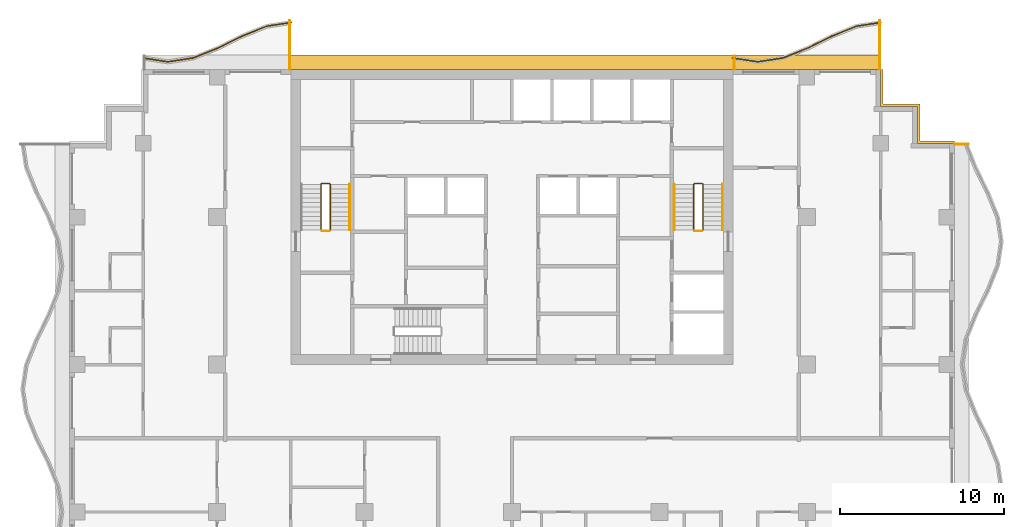
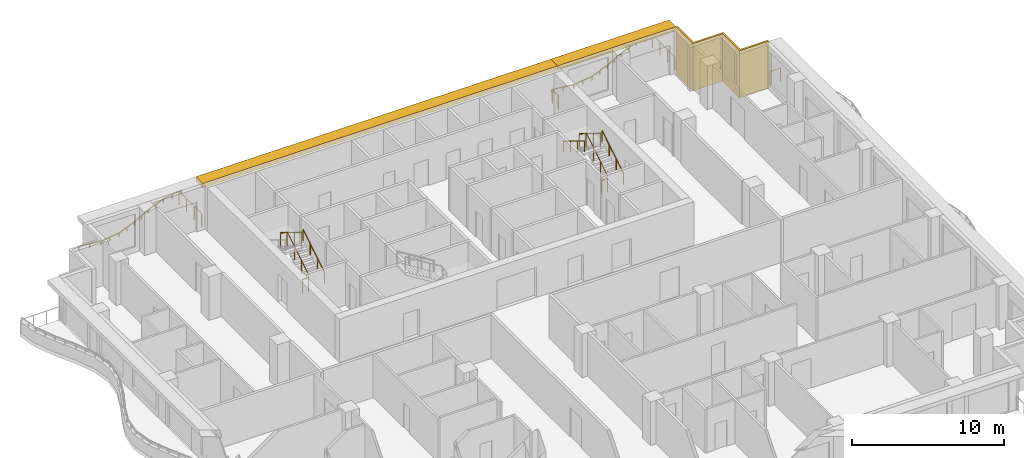
# One storey, part 11 of 11: 13 railings, 3 shading devices.
"""IFC4 building model written with IfcOpenShell, lengths in metres."""

from ifc_helpers import new_model, si_unit, direction, frame, origin, origin_2d, place, context, subcontext, project, spatial, polyline, rectangle, circle, outline, extrude, material, layer, layer_set, type_object, element, save


model = new_model("IFC4")

# Units and contexts
model_context = context("Model", 3, precision=1e-05, world=origin(), true_north=direction((0.0, 1.0)))
body_context = subcontext(model_context, "Body", "Model", "MODEL_VIEW")
ifc_project = project(units=[si_unit("LENGTHUNIT", "METRE"), si_unit("AREAUNIT", "SQUARE_METRE"), si_unit("VOLUMEUNIT", "CUBIC_METRE"), si_unit("PLANEANGLEUNIT", "RADIAN"), si_unit("MASSUNIT", "GRAM", prefix="KILO")], contexts=[model_context])

# Site, building, storey
site_placement = place(None, origin())
site = spatial("IfcSite", under=ifc_project, at=site_placement, CompositionType="ELEMENT")
building_placement = place(site_placement, origin())
building = spatial("IfcBuilding", under=site, at=building_placement, Name="Orbiselva Terraces", CompositionType="ELEMENT")
storey_placement = place(building_placement, frame((0.0, 0.0, 218.6)))
storey = spatial("IfcBuildingStorey", under=building, at=storey_placement, Name="L55", CompositionType="ELEMENT", Elevation=218.6)

# Railings
ifc_material_1 = material(Name="Stainless steel", Category="steel")
railing_type_1 = type_object("IfcRailingType", Name="CORE-GUARD-1100", PredefinedType="GUARDRAIL", material=ifc_material_1)
railing_1_placement = place(storey_placement, frame((-11.1, 12.7, 0.172727)))
element("IfcRailing", 1, at=railing_1_placement, inside=storey, type_object=railing_type_1, Name="L55 S1 stair guard 1", PredefinedType="GUARDRAIL", context=body_context, shape_type="SweptSolid", body=[
    extrude(circle(Radius=0.024, at=origin_2d()), frame((0.0, 0.0, 1.081), z_axis=(0.0, 0.851088519012, 0.52502222125), x_axis=(-1.0, 0.0, 0.0)), (0.0, 0.0, 1.0), 3.289905),
    extrude(circle(Radius=0.024, at=origin_2d()), frame((0.0, 2.8, 2.808273), z_axis=(-0.707106781187, 0.707106781187, 0.0), x_axis=(-0.707106781187, -0.707106781187, 0.0)), (0.0, 0.0, 1.0), 0.070711),
    extrude(circle(Radius=0.024, at=origin_2d()), frame((-0.05, 2.85, 2.808273), z_axis=(-1.0, 0.0, 0.0), x_axis=(0.0, -1.0, 0.0)), (0.0, 0.0, 1.0), 0.45),
    extrude(circle(Radius=0.024, at=origin_2d()), frame((-0.5, 2.85, 2.808273), z_axis=(-0.267894925557, -0.267894925557, 0.925453736133), x_axis=(0.707106781187, -0.707106781187, 0.0)), (0.0, 0.0, 1.0), 0.18664),
    extrude(circle(Radius=0.024, at=origin_2d()), frame((-0.55, 2.8, 2.981), z_axis=(0.0, -0.851088519012, 0.52502222125), x_axis=(1.0, 0.0, 0.0)), (0.0, 0.0, 1.0), 3.289905),
    extrude(circle(Radius=0.021, at=origin_2d()), origin(), (0.0, 0.0, 1.0), 1.057),
    extrude(circle(Radius=0.021, at=origin_2d()), frame((0.0, 0.933333, 0.575758)), (0.0, 0.0, 1.0), 1.057),
    extrude(circle(Radius=0.021, at=origin_2d()), frame((0.0, 1.866667, 1.151515)), (0.0, 0.0, 1.0), 1.057),
    extrude(circle(Radius=0.021, at=origin_2d()), frame((0.0, 2.8, 1.727273)), (0.0, 0.0, 1.0), 1.057),
    extrude(circle(Radius=0.021, at=origin_2d()), frame((-0.05, 2.85, 1.727273)), (0.0, 0.0, 1.0), 1.057),
    extrude(circle(Radius=0.021, at=origin_2d()), frame((-0.5, 2.85, 1.727273)), (0.0, 0.0, 1.0), 1.057),
    extrude(circle(Radius=0.021, at=origin_2d()), frame((-0.55, 2.8, 1.9)), (0.0, 0.0, 1.0), 1.057),
    extrude(circle(Radius=0.021, at=origin_2d()), frame((-0.55, 1.866667, 2.475758)), (0.0, 0.0, 1.0), 1.057),
    extrude(circle(Radius=0.021, at=origin_2d()), frame((-0.55, 0.933333, 3.051515)), (0.0, 0.0, 1.0), 1.057),
    extrude(circle(Radius=0.021, at=origin_2d()), frame((-0.55, 0.0, 3.627273)), (0.0, 0.0, 1.0), 1.057),
])
railing_2_placement = place(storey_placement, frame((-11.15, 12.65, 0.0)))
element("IfcRailing", 2, at=railing_2_placement, inside=storey, type_object=railing_type_1, Name="L55 S1 stair guard 2", PredefinedType="GUARDRAIL", context=body_context, shape_type="SweptSolid", body=[
    extrude(circle(Radius=0.024, at=origin_2d()), frame((0.0, 0.0, 1.081), z_axis=(-1.0, 0.0, 0.0), x_axis=(0.0, -1.0, 0.0)), (0.0, 0.0, 1.0), 0.45),
    extrude(circle(Radius=0.021, at=origin_2d()), origin(), (0.0, 0.0, 1.0), 1.057),
    extrude(circle(Radius=0.021, at=origin_2d()), frame((-0.45, 0.0, 0.0)), (0.0, 0.0, 1.0), 1.057),
])
railing_3_placement = place(storey_placement, frame((11.65, 12.7, 0.172727)))
element("IfcRailing", 3, at=railing_3_placement, inside=storey, type_object=railing_type_1, Name="L55 S2 stair guard 1", PredefinedType="GUARDRAIL", context=body_context, shape_type="SweptSolid", body=[
    extrude(circle(Radius=0.024, at=origin_2d()), frame((0.0, 0.0, 1.081), z_axis=(0.0, 0.851088519012, 0.52502222125), x_axis=(-1.0, 0.0, 0.0)), (0.0, 0.0, 1.0), 3.289905),
    extrude(circle(Radius=0.024, at=origin_2d()), frame((0.0, 2.8, 2.808273), z_axis=(-0.707106781187, 0.707106781187, 0.0), x_axis=(-0.707106781187, -0.707106781187, 0.0)), (0.0, 0.0, 1.0), 0.070711),
    extrude(circle(Radius=0.024, at=origin_2d()), frame((-0.05, 2.85, 2.808273), z_axis=(-1.0, 0.0, 0.0), x_axis=(0.0, -1.0, 0.0)), (0.0, 0.0, 1.0), 0.45),
    extrude(circle(Radius=0.024, at=origin_2d()), frame((-0.5, 2.85, 2.808273), z_axis=(-0.267894925557, -0.267894925557, 0.925453736133), x_axis=(0.707106781187, -0.707106781187, 0.0)), (0.0, 0.0, 1.0), 0.18664),
    extrude(circle(Radius=0.024, at=origin_2d()), frame((-0.55, 2.8, 2.981), z_axis=(0.0, -0.851088519012, 0.52502222125), x_axis=(1.0, 0.0, 0.0)), (0.0, 0.0, 1.0), 3.289905),
    extrude(circle(Radius=0.021, at=origin_2d()), origin(), (0.0, 0.0, 1.0), 1.057),
    extrude(circle(Radius=0.021, at=origin_2d()), frame((0.0, 0.933333, 0.575758)), (0.0, 0.0, 1.0), 1.057),
    extrude(circle(Radius=0.021, at=origin_2d()), frame((0.0, 1.866667, 1.151515)), (0.0, 0.0, 1.0), 1.057),
    extrude(circle(Radius=0.021, at=origin_2d()), frame((0.0, 2.8, 1.727273)), (0.0, 0.0, 1.0), 1.057),
    extrude(circle(Radius=0.021, at=origin_2d()), frame((-0.05, 2.85, 1.727273)), (0.0, 0.0, 1.0), 1.057),
    extrude(circle(Radius=0.021, at=origin_2d()), frame((-0.5, 2.85, 1.727273)), (0.0, 0.0, 1.0), 1.057),
    extrude(circle(Radius=0.021, at=origin_2d()), frame((-0.55, 2.8, 1.9)), (0.0, 0.0, 1.0), 1.057),
    extrude(circle(Radius=0.021, at=origin_2d()), frame((-0.55, 1.866667, 2.475758)), (0.0, 0.0, 1.0), 1.057),
    extrude(circle(Radius=0.021, at=origin_2d()), frame((-0.55, 0.933333, 3.051515)), (0.0, 0.0, 1.0), 1.057),
    extrude(circle(Radius=0.021, at=origin_2d()), frame((-0.55, 0.0, 3.627273)), (0.0, 0.0, 1.0), 1.057),
])
railing_4_placement = place(storey_placement, frame((11.6, 12.65, 0.0)))
element("IfcRailing", 4, at=railing_4_placement, inside=storey, type_object=railing_type_1, Name="L55 S2 stair guard 2", PredefinedType="GUARDRAIL", context=body_context, shape_type="SweptSolid", body=[
    extrude(circle(Radius=0.024, at=origin_2d()), frame((0.0, 0.0, 1.081), z_axis=(-1.0, 0.0, 0.0), x_axis=(0.0, -1.0, 0.0)), (0.0, 0.0, 1.0), 0.45),
    extrude(circle(Radius=0.021, at=origin_2d()), origin(), (0.0, 0.0, 1.0), 1.057),
    extrude(circle(Radius=0.021, at=origin_2d()), frame((-0.45, 0.0, 0.0)), (0.0, 0.0, 1.0), 1.057),
])
railing_type_2 = type_object("IfcRailingType", Name="CORE-HANDRAIL-900", PredefinedType="HANDRAIL", material=ifc_material_1)
for number, where, name in (
    (5, (-9.9, 12.7, 0.172727), "L55 S1 stair handrail 1"),
    (6, (12.85, 12.7, 0.172727), "L55 S2 stair handrail 1"),
):
    element("IfcRailing", number, at=place(storey_placement, frame(where)), inside=storey, type_object=railing_type_2, Name=name, PredefinedType="HANDRAIL", context=body_context, shape_type="SweptSolid", body=[
        extrude(circle(Radius=0.024, at=origin_2d()), frame((0.0, 0.0, 0.876), z_axis=(0.0, 0.851088519012, 0.52502222125), x_axis=(-1.0, 0.0, 0.0)), (0.0, 0.0, 1.0), 3.289905),
        extrude(circle(Radius=0.021, at=origin_2d()), origin(), (0.0, 0.0, 1.0), 0.852),
        extrude(circle(Radius=0.021, at=origin_2d()), frame((0.0, 0.933333, 0.575758)), (0.0, 0.0, 1.0), 0.852),
        extrude(circle(Radius=0.021, at=origin_2d()), frame((0.0, 1.866667, 1.151515)), (0.0, 0.0, 1.0), 0.852),
        extrude(circle(Radius=0.021, at=origin_2d()), frame((0.0, 2.8, 1.727273)), (0.0, 0.0, 1.0), 0.852),
    ])
railing_5_placement = place(storey_placement, frame((9.9, 15.5, 2.072727)))
element("IfcRailing", 7, at=railing_5_placement, inside=storey, type_object=railing_type_2, Name="L55 S2 stair handrail 2", PredefinedType="HANDRAIL", context=body_context, shape_type="SweptSolid", body=[
    extrude(circle(Radius=0.024, at=origin_2d()), frame((0.0, 0.0, 0.876), z_axis=(0.0, -0.851088519012, 0.52502222125), x_axis=(1.0, 0.0, 0.0)), (0.0, 0.0, 1.0), 3.289905),
    extrude(circle(Radius=0.021, at=origin_2d()), origin(), (0.0, 0.0, 1.0), 0.852),
    extrude(circle(Radius=0.021, at=origin_2d()), frame((0.0, -0.933333, 0.575758)), (0.0, 0.0, 1.0), 0.852),
    extrude(circle(Radius=0.021, at=origin_2d()), frame((0.0, -1.866667, 1.151515)), (0.0, 0.0, 1.0), 0.852),
    extrude(circle(Radius=0.021, at=origin_2d()), frame((0.0, -2.8, 1.727273)), (0.0, 0.0, 1.0), 0.852),
])
ifc_material_2 = material(Name="Bonded two-ply safety glass balustrade, stainless steel posts", Category="steel")
railing_type_3 = type_object("IfcRailingType", Name="ENV-BALUSTRADE-1200", PredefinedType="BALUSTRADE", material=ifc_material_2)
railing_6_placement = place(storey_placement, frame((22.518879, 25.376434, 0.9)))
element("IfcRailing", 8, at=railing_6_placement, inside=storey, type_object=railing_type_3, Name="Balcony balustrade L55 NE", PredefinedType="BALUSTRADE", context=body_context, shape_type="SweptSolid", body=[
    extrude(outline(polyline([(0.028868, 0.0), (0.014434, 0.025), (-0.014434, 0.025), (-0.028868, 0.0), (-0.014434, -0.025), (0.014434, -0.025), (0.028868, 0.0)])), frame((0.0, 0.0, 0.275), z_axis=(-0.988528552748, -0.151034103443, 0.0), x_axis=(0.151034103443, -0.988528552748, 0.0)), (0.0, 0.0, 1.0), 1.503038),
    extrude(outline(polyline([(0.028868, 0.0), (0.014434, 0.025), (-0.014434, 0.025), (-0.028868, 0.0), (-0.014434, -0.025), (0.014434, -0.025), (0.028868, 0.0)])), frame((-1.485796, -0.22701, 0.275), z_axis=(-0.928476561272, -0.371391000387, 0.0), x_axis=(0.371391000387, -0.928476561272, 0.0)), (0.0, 0.0, 1.0), 1.596261),
    extrude(outline(polyline([(0.028868, 0.0), (0.014434, 0.025), (-0.014434, 0.025), (-0.028868, 0.0), (-0.014434, -0.025), (0.014434, -0.025), (0.028868, 0.0)])), frame((-2.967887, -0.819847, 0.275), z_axis=(-0.896416672454, -0.443212307306, 0.0), x_axis=(0.443212307306, -0.896416672454, 0.0)), (0.0, 0.0, 1.0), 1.673329),
    extrude(outline(polyline([(0.028868, 0.0), (0.014434, 0.025), (-0.014434, 0.025), (-0.028868, 0.0), (-0.014434, -0.025), (0.014434, -0.025), (0.028868, 0.0)])), frame((-4.467887, -1.561487, 0.275), z_axis=(-0.92847681744, -0.371390359967, 0.0), x_axis=(0.371390359967, -0.92847681744, 0.0)), (0.0, 0.0, 1.0), 1.634838),
    extrude(outline(polyline([(0.028868, 0.0), (0.014434, 0.025), (-0.014434, 0.025), (-0.028868, 0.0), (-0.014434, -0.025), (0.014434, -0.025), (0.028868, 0.0)])), frame((-5.985796, -2.16865, 0.275), z_axis=(-0.988528536275, -0.151034211256, 0.0), x_axis=(0.151034211256, -0.988528536275, 0.0)), (0.0, 0.0, 1.0), 1.550874),
    extrude(outline(polyline([(0.028868, 0.0), (0.014434, 0.025), (-0.014434, 0.025), (-0.028868, 0.0), (-0.014434, -0.025), (0.014434, -0.025), (0.028868, 0.0)])), frame((-7.518879, -2.402885, 0.275), z_axis=(-0.988528518286, 0.151034328999, 0.0), x_axis=(-0.151034328999, -0.988528518286, 0.0)), (0.0, 0.0, 1.0), 1.536505),
    extrude(rectangle(XDim=0.05, YDim=0.05, at=origin_2d()), origin(), (0.0, 0.0, 1.0), 0.25),
    extrude(rectangle(XDim=0.05, YDim=0.05, at=origin_2d()), frame((-0.742898, -0.113505, 0.0)), (0.0, 0.0, 1.0), 0.25),
    extrude(rectangle(XDim=0.05, YDim=0.05, at=origin_2d()), frame((-1.485796, -0.22701, 0.0)), (0.0, 0.0, 1.0), 0.25),
    extrude(rectangle(XDim=0.05, YDim=0.05, at=origin_2d()), frame((-2.226841, -0.523428, 0.0)), (0.0, 0.0, 1.0), 0.25),
    extrude(rectangle(XDim=0.05, YDim=0.05, at=origin_2d()), frame((-2.967887, -0.819847, 0.0)), (0.0, 0.0, 1.0), 0.25),
    extrude(rectangle(XDim=0.05, YDim=0.05, at=origin_2d()), frame((-3.717887, -1.190667, 0.0)), (0.0, 0.0, 1.0), 0.25),
    extrude(rectangle(XDim=0.05, YDim=0.05, at=origin_2d()), frame((-4.467887, -1.561487, 0.0)), (0.0, 0.0, 1.0), 0.25),
    extrude(rectangle(XDim=0.05, YDim=0.05, at=origin_2d()), frame((-5.226841, -1.865068, 0.0)), (0.0, 0.0, 1.0), 0.25),
    extrude(rectangle(XDim=0.05, YDim=0.05, at=origin_2d()), frame((-5.985796, -2.16865, 0.0)), (0.0, 0.0, 1.0), 0.25),
    extrude(rectangle(XDim=0.05, YDim=0.05, at=origin_2d()), frame((-6.752337, -2.285768, 0.0)), (0.0, 0.0, 1.0), 0.25),
    extrude(rectangle(XDim=0.05, YDim=0.05, at=origin_2d()), frame((-7.518879, -2.402885, 0.0)), (0.0, 0.0, 1.0), 0.25),
    extrude(rectangle(XDim=0.05, YDim=0.05, at=origin_2d()), frame((-8.278318, -2.286852, 0.0)), (0.0, 0.0, 1.0), 0.25),
    extrude(rectangle(XDim=0.05, YDim=0.05, at=origin_2d()), frame((-9.037758, -2.17082, 0.0)), (0.0, 0.0, 1.0), 0.25),
])
railing_7_placement = place(storey_placement, frame((-13.481121, 25.376434, 0.9)))
element("IfcRailing", 9, at=railing_7_placement, inside=storey, type_object=railing_type_3, Name="Balcony balustrade L55 NW", PredefinedType="BALUSTRADE", context=body_context, shape_type="SweptSolid", body=[
    extrude(outline(polyline([(0.028868, 0.0), (0.014434, 0.025), (-0.014434, 0.025), (-0.028868, 0.0), (-0.014434, -0.025), (0.014434, -0.025), (0.028868, 0.0)])), frame((0.0, 0.0, 0.275), z_axis=(-0.988528552748, -0.151034103443, 0.0), x_axis=(0.151034103443, -0.988528552748, 0.0)), (0.0, 0.0, 1.0), 1.503038),
    extrude(outline(polyline([(0.028868, 0.0), (0.014434, 0.025), (-0.014434, 0.025), (-0.028868, 0.0), (-0.014434, -0.025), (0.014434, -0.025), (0.028868, 0.0)])), frame((-1.485796, -0.22701, 0.275), z_axis=(-0.928476561272, -0.371391000387, 0.0), x_axis=(0.371391000387, -0.928476561272, 0.0)), (0.0, 0.0, 1.0), 1.596261),
    extrude(outline(polyline([(0.028868, 0.0), (0.014434, 0.025), (-0.014434, 0.025), (-0.028868, 0.0), (-0.014434, -0.025), (0.014434, -0.025), (0.028868, 0.0)])), frame((-2.967887, -0.819847, 0.275), z_axis=(-0.896416672454, -0.443212307306, 0.0), x_axis=(0.443212307306, -0.896416672454, 0.0)), (0.0, 0.0, 1.0), 1.673329),
    extrude(outline(polyline([(0.028868, 0.0), (0.014434, 0.025), (-0.014434, 0.025), (-0.028868, 0.0), (-0.014434, -0.025), (0.014434, -0.025), (0.028868, 0.0)])), frame((-4.467887, -1.561487, 0.275), z_axis=(-0.92847681744, -0.371390359967, 0.0), x_axis=(0.371390359967, -0.92847681744, 0.0)), (0.0, 0.0, 1.0), 1.634838),
    extrude(outline(polyline([(0.028868, 0.0), (0.014434, 0.025), (-0.014434, 0.025), (-0.028868, 0.0), (-0.014434, -0.025), (0.014434, -0.025), (0.028868, 0.0)])), frame((-5.985796, -2.16865, 0.275), z_axis=(-0.988528536275, -0.151034211256, 0.0), x_axis=(0.151034211256, -0.988528536275, 0.0)), (0.0, 0.0, 1.0), 1.550874),
    extrude(outline(polyline([(0.028868, 0.0), (0.014434, 0.025), (-0.014434, 0.025), (-0.028868, 0.0), (-0.014434, -0.025), (0.014434, -0.025), (0.028868, 0.0)])), frame((-7.518879, -2.402885, 0.275), z_axis=(-0.988528518286, 0.151034328999, 0.0), x_axis=(-0.151034328999, -0.988528518286, 0.0)), (0.0, 0.0, 1.0), 1.536505),
    extrude(rectangle(XDim=0.05, YDim=0.05, at=origin_2d()), origin(), (0.0, 0.0, 1.0), 0.25),
    extrude(rectangle(XDim=0.05, YDim=0.05, at=origin_2d()), frame((-0.742898, -0.113505, 0.0)), (0.0, 0.0, 1.0), 0.25),
    extrude(rectangle(XDim=0.05, YDim=0.05, at=origin_2d()), frame((-1.485796, -0.22701, 0.0)), (0.0, 0.0, 1.0), 0.25),
    extrude(rectangle(XDim=0.05, YDim=0.05, at=origin_2d()), frame((-2.226842, -0.523428, 0.0)), (0.0, 0.0, 1.0), 0.25),
    extrude(rectangle(XDim=0.05, YDim=0.05, at=origin_2d()), frame((-2.967887, -0.819847, 0.0)), (0.0, 0.0, 1.0), 0.25),
    extrude(rectangle(XDim=0.05, YDim=0.05, at=origin_2d()), frame((-3.717887, -1.190667, 0.0)), (0.0, 0.0, 1.0), 0.25),
    extrude(rectangle(XDim=0.05, YDim=0.05, at=origin_2d()), frame((-4.467887, -1.561487, 0.0)), (0.0, 0.0, 1.0), 0.25),
    extrude(rectangle(XDim=0.05, YDim=0.05, at=origin_2d()), frame((-5.226841, -1.865068, 0.0)), (0.0, 0.0, 1.0), 0.25),
    extrude(rectangle(XDim=0.05, YDim=0.05, at=origin_2d()), frame((-5.985796, -2.16865, 0.0)), (0.0, 0.0, 1.0), 0.25),
    extrude(rectangle(XDim=0.05, YDim=0.05, at=origin_2d()), frame((-6.752337, -2.285768, 0.0)), (0.0, 0.0, 1.0), 0.25),
    extrude(rectangle(XDim=0.05, YDim=0.05, at=origin_2d()), frame((-7.518879, -2.402885, 0.0)), (0.0, 0.0, 1.0), 0.25),
    extrude(rectangle(XDim=0.05, YDim=0.05, at=origin_2d()), frame((-8.278318, -2.286852, 0.0)), (0.0, 0.0, 1.0), 0.25),
    extrude(rectangle(XDim=0.05, YDim=0.05, at=origin_2d()), frame((-9.037758, -2.17082, 0.0)), (0.0, 0.0, 1.0), 0.25),
])
ifc_material_3 = material(Name="Stainless steel rail and posts", Category="steel")
railing_type_4 = type_object("IfcRailingType", Name="ENV-GUARD-1105", PredefinedType="BALUSTRADE", material=ifc_material_3)
railing_8_placement = place(storey_placement, frame((27.847212, 17.94, 0.0)))
element("IfcRailing", 10, at=railing_8_placement, inside=storey, type_object=railing_type_4, Name="Balcony end guard L55 E", PredefinedType="BALUSTRADE", context=body_context, shape_type="SweptSolid", body=[
    extrude(outline(polyline([(0.028868, 0.0), (0.014434, 0.025), (-0.014434, 0.025), (-0.028868, 0.0), (-0.014434, -0.025), (0.014434, -0.025), (0.028868, 0.0)])), frame((0.0, 0.0, 1.08), z_axis=(-1.0, 0.0, 0.0), x_axis=(0.0, -1.0, 0.0)), (0.0, 0.0, 1.0), 0.822212),
    extrude(rectangle(XDim=0.05, YDim=0.05, at=origin_2d()), origin(), (0.0, 0.0, 1.0), 1.055),
    extrude(rectangle(XDim=0.05, YDim=0.05, at=origin_2d()), frame((-0.822212, 0.0, 0.0)), (0.0, 0.0, 1.0), 1.055),
])
railing_9_placement = place(storey_placement, frame((22.44, 25.499621, 0.0)))
element("IfcRailing", 11, at=railing_9_placement, inside=storey, type_object=railing_type_4, Name="Balcony end guard L55 NE", PredefinedType="BALUSTRADE", context=body_context, shape_type="SweptSolid", body=[
    extrude(outline(polyline([(0.028868, 0.0), (0.014434, 0.025), (-0.014434, 0.025), (-0.028868, 0.0), (-0.014434, -0.025), (0.014434, -0.025), (0.028868, 0.0)])), frame((0.0, 0.0, 1.08), z_axis=(0.0, -1.0, 0.0), x_axis=(1.0, 0.0, 0.0)), (0.0, 0.0, 1.0), 2.974621),
    extrude(rectangle(XDim=0.05, YDim=0.05, at=origin_2d()), origin(), (0.0, 0.0, 1.0), 1.055),
    extrude(rectangle(XDim=0.05, YDim=0.05, at=origin_2d()), frame((0.0, -0.99154, 0.0)), (0.0, 0.0, 1.0), 1.055),
    extrude(rectangle(XDim=0.05, YDim=0.05, at=origin_2d()), frame((0.0, -1.983081, 0.0)), (0.0, 0.0, 1.0), 1.055),
    extrude(rectangle(XDim=0.05, YDim=0.05, at=origin_2d()), frame((0.0, -2.974621, 0.0)), (0.0, 0.0, 1.0), 1.055),
])
railing_10_placement = place(storey_placement, frame((13.56, 23.311761, 0.0)))
element("IfcRailing", 12, at=railing_10_placement, inside=storey, type_object=railing_type_4, Name="Balcony end guard L55 NE", PredefinedType="BALUSTRADE", context=body_context, shape_type="SweptSolid", body=[
    extrude(outline(polyline([(0.028868, 0.0), (0.014434, 0.025), (-0.014434, 0.025), (-0.028868, 0.0), (-0.014434, -0.025), (0.014434, -0.025), (0.028868, 0.0)])), frame((0.0, 0.0, 1.08), z_axis=(0.0, -1.0, 0.0), x_axis=(1.0, 0.0, 0.0)), (0.0, 0.0, 1.0), 0.786761),
    extrude(rectangle(XDim=0.05, YDim=0.05, at=origin_2d()), origin(), (0.0, 0.0, 1.0), 1.055),
    extrude(rectangle(XDim=0.05, YDim=0.05, at=origin_2d()), frame((0.0, -0.786761, 0.0)), (0.0, 0.0, 1.0), 1.055),
])
railing_11_placement = place(storey_placement, frame((-13.56, 25.499621, 0.0)))
element("IfcRailing", 13, at=railing_11_placement, inside=storey, type_object=railing_type_4, Name="Balcony end guard L55 NW", PredefinedType="BALUSTRADE", context=body_context, shape_type="SweptSolid", body=[
    extrude(outline(polyline([(0.028868, 0.0), (0.014434, 0.025), (-0.014434, 0.025), (-0.028868, 0.0), (-0.014434, -0.025), (0.014434, -0.025), (0.028868, 0.0)])), frame((0.0, 0.0, 1.08), z_axis=(0.0, -1.0, 0.0), x_axis=(1.0, 0.0, 0.0)), (0.0, 0.0, 1.0), 2.974621),
    extrude(rectangle(XDim=0.05, YDim=0.05, at=origin_2d()), origin(), (0.0, 0.0, 1.0), 1.055),
    extrude(rectangle(XDim=0.05, YDim=0.05, at=origin_2d()), frame((0.0, -0.99154, 0.0)), (0.0, 0.0, 1.0), 1.055),
    extrude(rectangle(XDim=0.05, YDim=0.05, at=origin_2d()), frame((0.0, -1.983081, 0.0)), (0.0, 0.0, 1.0), 1.055),
    extrude(rectangle(XDim=0.05, YDim=0.05, at=origin_2d()), frame((0.0, -2.974621, 0.0)), (0.0, 0.0, 1.0), 1.055),
])

# Shading devices
ifc_material_4 = material(Name="Terracotta louvre screen", Category="masonry")
ifc_layer_1 = layer(ifc_material_4, 0.15)
ifc_layer_set_1 = layer_set([ifc_layer_1], Name="Terracotta louvre screen")
shading_device_type_1 = type_object("IfcShadingDeviceType", Name="ENV-SCREEN-150", PredefinedType="USERDEFINED", material=ifc_layer_set_1)
shading_device_1_placement = place(storey_placement, frame((0.0, 0.0, -0.3)))
element("IfcShadingDevice", 14, at=shading_device_1_placement, inside=storey, type_object=shading_device_type_1, Name="Louvre screen L55 NE", ObjectType="SCREEN", PredefinedType="USERDEFINED", context=body_context, shape_type="SweptSolid", body=[
    extrude(outline(polyline([(27.0, 18.15), (24.9, 18.15), (24.9, 20.4), (22.65, 20.4), (22.65, 22.5), (22.5, 22.5), (22.5, 20.25), (24.75, 20.25), (24.75, 18.0), (27.0, 18.0), (27.0, 18.15)])), origin(), (0.0, 0.0, 1.0), 3.8),
])
ifc_material_5 = material(Name="Terracotta baguette sunshade", Category="masonry")
ifc_layer_2 = layer(ifc_material_5, 0.35)
ifc_layer_set_2 = layer_set([ifc_layer_2], Name="Terracotta baguette sunshade")
shading_device_type_2 = type_object("IfcShadingDeviceType", Name="ENV-SUNSHADE-900x350", PredefinedType="USERDEFINED", material=ifc_layer_set_2)
shading_device_2_placement = place(storey_placement, frame((0.0, 0.0, 3.15)))
element("IfcShadingDevice", 15, at=shading_device_2_placement, inside=storey, type_object=shading_device_type_2, Name="Sunshade band L55 NE", ObjectType="SUNSHADE", PredefinedType="USERDEFINED", context=body_context, shape_type="SweptSolid", body=[
    extrude(outline(polyline([(22.5, 23.4), (13.5, 23.4), (13.5, 22.5), (22.5, 22.5), (22.5, 23.4)])), origin(), (0.0, 0.0, 1.0), 0.35),
])
shading_device_3_placement = place(storey_placement, frame((0.0, 0.0, 3.15)))
element("IfcShadingDevice", 16, at=shading_device_3_placement, inside=storey, type_object=shading_device_type_2, Name="Sunshade band L55 CORE NORTH", ObjectType="SUNSHADE", PredefinedType="USERDEFINED", context=body_context, shape_type="SweptSolid", body=[
    extrude(outline(polyline([(13.5, 23.4), (-13.5, 23.4), (-13.5, 22.5), (13.5, 22.5), (13.5, 23.4)])), origin(), (0.0, 0.0, 1.0), 0.35),
])

save(model, "model.ifc")
